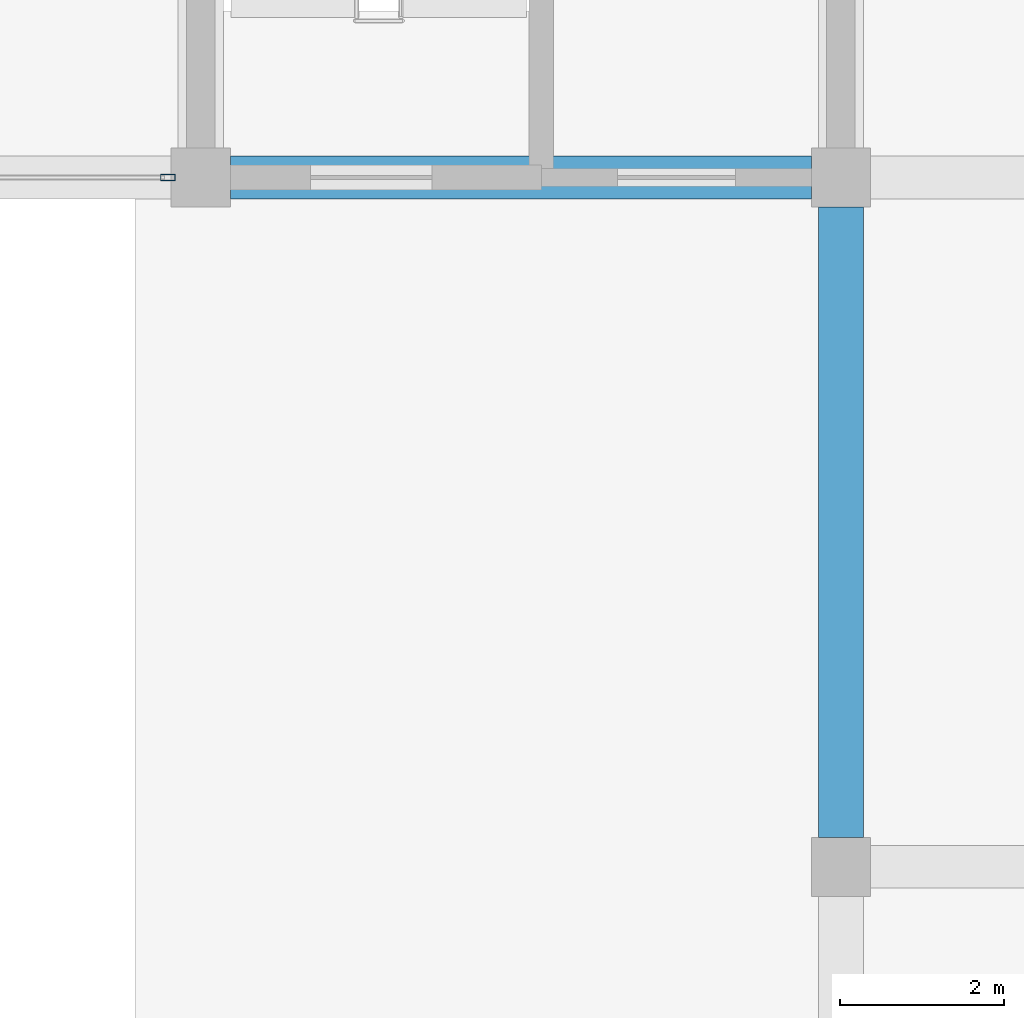
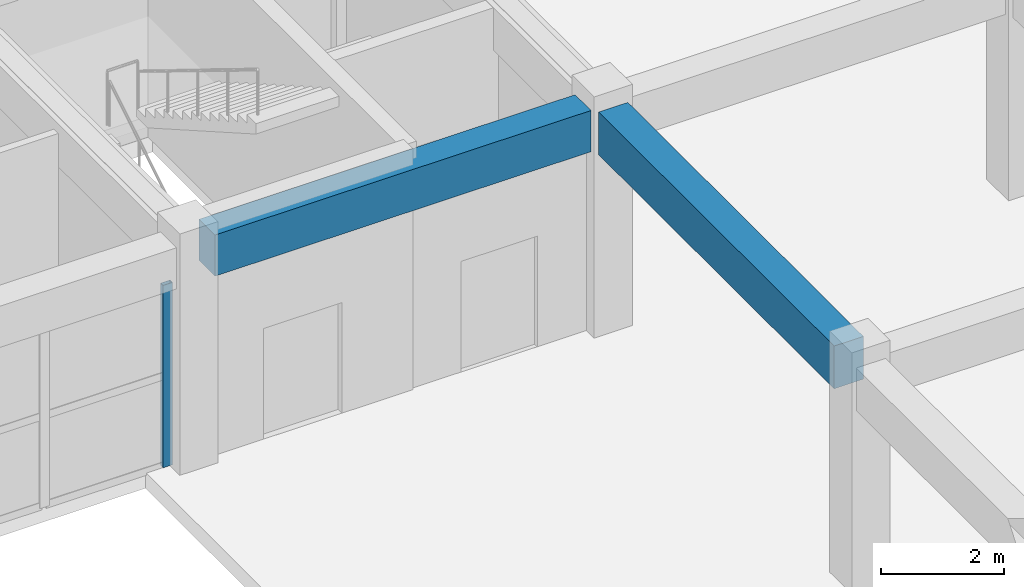
# One storey, part 80 of 139: 2 beams, 1 member, 1 element without a shape of its own.
"""IFC4 building model written with IfcOpenShell, lengths in metres."""

from ifc_helpers import new_model, si_unit, direction, frame, origin, origin_2d, place, context, subcontext, project, spatial, rectangle, hollow_rectangle, extrude, material, layer, layer_set, material_profile, profile_set, type_object, element, aggregate, save


model = new_model("IFC4")

# Units and contexts
model_context = context("Model", 3, precision=1e-05, world=origin(), true_north=direction((0.0, 1.0)))
body_context = subcontext(model_context, "Body", "Model", "MODEL_VIEW")
ifc_project = project(units=[si_unit("LENGTHUNIT", "METRE"), si_unit("AREAUNIT", "SQUARE_METRE"), si_unit("VOLUMEUNIT", "CUBIC_METRE"), si_unit("PLANEANGLEUNIT", "RADIAN"), si_unit("MASSUNIT", "GRAM", prefix="KILO")], contexts=[model_context])

# Site, building, storey
site_placement = place(None, origin())
site = spatial("IfcSite", under=ifc_project, at=site_placement, CompositionType="ELEMENT")
building_placement = place(site_placement, origin())
building = spatial("IfcBuilding", under=site, at=building_placement, Name="Zizhar Promenade General Hospital", CompositionType="ELEMENT")
storey_placement = place(building_placement, origin())
storey = spatial("IfcBuildingStorey", under=building, at=storey_placement, Name="L00", CompositionType="ELEMENT", Elevation=0.0)

# Beams
ifc_material_1 = material(Name="Concrete C35/45", Category="concrete")
ifc_material_profile_1 = material_profile(ifc_material_1, rectangle(XDim=0.52001953125, YDim=0.820068359375, at=origin_2d()))
ifc_profile_set_1 = profile_set([ifc_material_profile_1], Name="Concrete C35/45")
beam_type_1 = type_object("IfcBeamType", Name="BM-RC-520x820", PredefinedType="BEAM", material=ifc_profile_set_1)
beam_1_placement = place(storey_placement, frame((171.9599609375, 92.39990234375, 4.06005859375), z_axis=(1.0, 0.0, 0.0), x_axis=(0.0, 1.0, 0.0)))
element("IfcBeam", 1, at=beam_1_placement, inside=storey, type_object=beam_type_1, Name="Grid Beam X L00 (22-11)", PredefinedType="BEAM", context=body_context, shape_type="SweptSolid", body=[
    extrude(rectangle(XDim=0.52001953125, YDim=0.820068359375, at=origin_2d()), origin(), (0.0, 0.0, 1.0), 7.080078125),
])
ifc_material_2 = material(Name="Concrete C35/45", Category="concrete")
ifc_material_profile_2 = material_profile(ifc_material_2, rectangle(XDim=0.550048828125, YDim=0.85009765625, at=origin_2d()))
ifc_profile_set_2 = profile_set([ifc_material_profile_2], Name="Concrete C35/45")
beam_type_2 = type_object("IfcBeamType", Name="BM-RC-550x850", PredefinedType="BEAM", material=ifc_profile_set_2)
beam_2_placement = place(storey_placement, frame((179.39990234375, 84.360107421875, 4.044921875), z_axis=(0.0, 1.0, 0.0), x_axis=(-1.0, 0.0, 0.0)))
element("IfcBeam", 2, at=beam_2_placement, inside=storey, type_object=beam_type_2, Name="Grid Beam Y L00 (23-10)", PredefinedType="BEAM", context=body_context, shape_type="SweptSolid", body=[
    extrude(rectangle(XDim=0.550048828125, YDim=0.85009765625, at=origin_2d()), origin(), (0.0, 0.0, 1.0), 7.679931640625),
])

# Curtain wall, member
ifc_material_3 = material(Name="Anodised aluminium 6063-T6 and low-E glass", Category="aluminium")
ifc_layer = layer(ifc_material_3, 0.159912109375)
ifc_layer_set = layer_set([ifc_layer], Name="Anodised aluminium 6063-T6 and low-E glass")
curtain_wall_type = type_object("IfcCurtainWallType", Name="CW-CLN-CRT", PredefinedType="NOTDEFINED", material=ifc_layer_set)
curtain_wall_placement = place(storey_placement, origin())
curtain_wall = element("IfcCurtainWall", 3, at=curtain_wall_placement, inside=storey, type_object=curtain_wall_type, Name="East Light Court North Glazing L00-21", PredefinedType="NOTDEFINED")
ifc_material_4 = material(Name="Anodised aluminium 6063-T6", Category="aluminium")
ifc_material_profile_3 = material_profile(ifc_material_4, hollow_rectangle(XDim=0.080078125, YDim=0.179931640625, WallThickness=0.0048828125, at=origin_2d()))
ifc_profile_set_3 = profile_set([ifc_material_profile_3], Name="Anodised aluminium 6063-T6")
member_type = type_object("IfcMemberType", Name="CWM-ALU-180x80", PredefinedType="MULLION", material=ifc_profile_set_3)
member_placement = place(storey_placement, frame((171.199951171875, 92.39990234375, 0.0), z_axis=(0.0, 0.0, 1.0), x_axis=(0.0, -1.0, 0.0)))
member = element("IfcMember", 4, at=member_placement, type_object=member_type, Name="CW-10 mullion 1", PredefinedType="MULLION", context=body_context, shape_type="SweptSolid", body=[
    extrude(hollow_rectangle(XDim=0.080078125, YDim=0.179931640625, WallThickness=0.0048828125, at=origin_2d()), origin(), (0.0, 0.0, 1.0), 3.6298828125),
])
aggregate(curtain_wall, [member])

save(model, "model.ifc")
